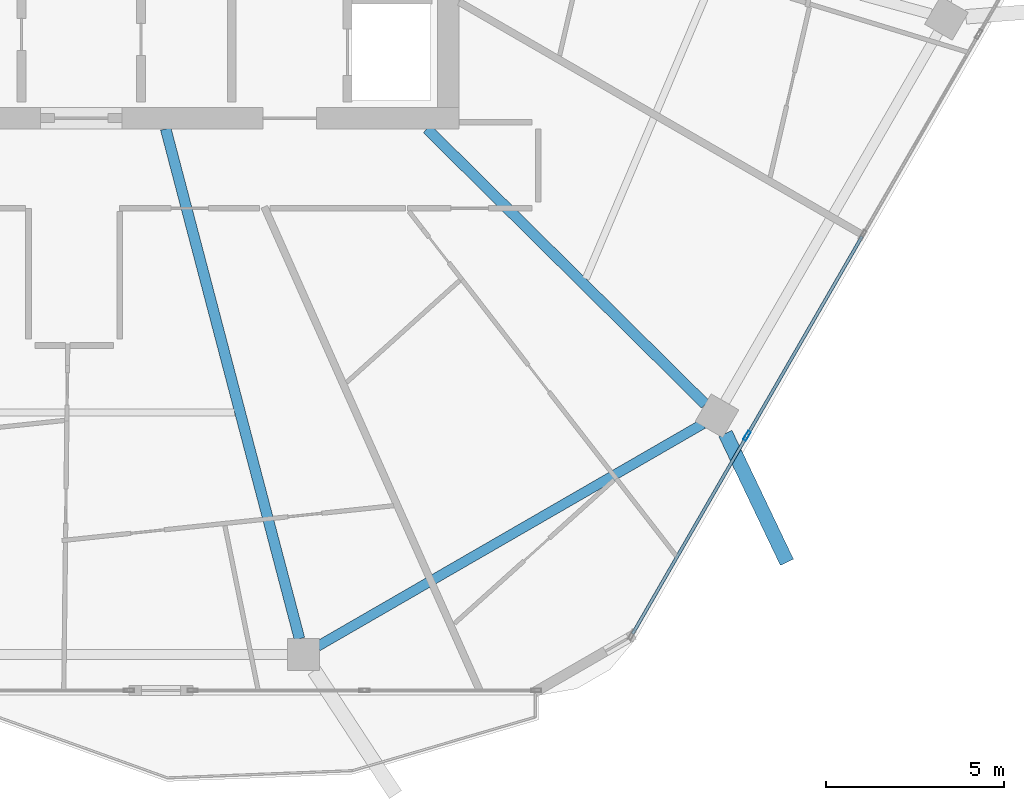
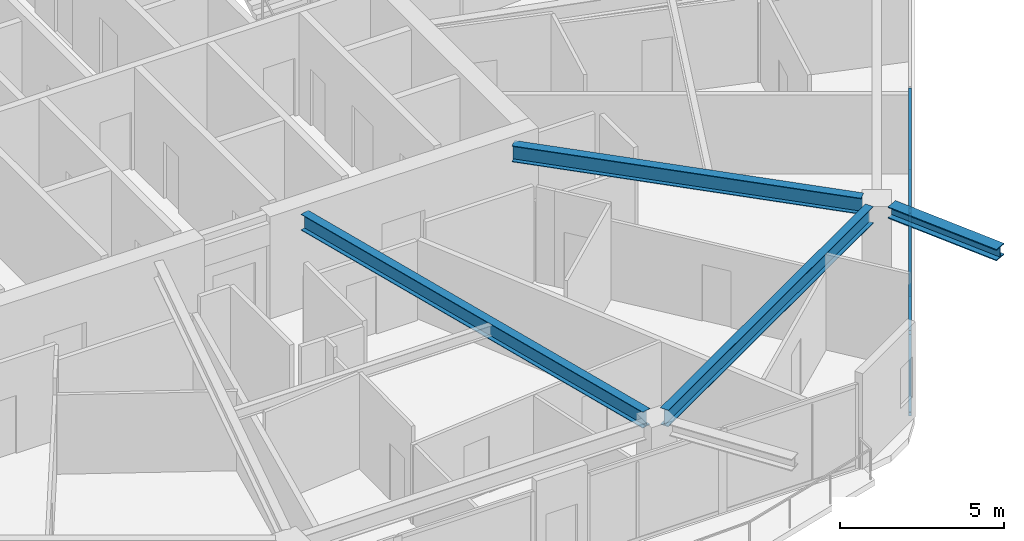
# One storey, part 8 of 26: 5 members, 4 beams, 1 element without a shape of its own.
"""IFC4 building model written with IfcOpenShell, lengths in metres."""

import ifcopenshell
import ifcopenshell.guid

model = None  # the IFC model being written
_history = None  # IfcOwnerHistory: only IFC2X3 demands one
_inside = {}  # id of a spatial element -> (the spatial element, [elements in it])
_under = {}  # id of a project, library or spatial element -> (it, [spatial elements below it])
_declared = {}  # id of a project -> (the project, [libraries it declares])
_typed = {}  # id of a type object -> (the type object, [elements of that type])
_made_of = {}  # id of a material, layer set ... -> (it, [elements and type objects made of it])


def new_model(schema):
    """Start an empty IFC model of exactly this schema.

    Asked for "IFC4X3", IfcOpenShell would pick the latest addendum, in which some entities
    have other attributes; the version numbers below select the first issue.
    IFC2X3 requires an IfcOwnerHistory on every rooted entity: one is made here for all.
    """
    global model, _history
    if schema == "IFC4X3":
        model = ifcopenshell.file(schema_version=(4, 3, 0, 0))
    else:
        model = ifcopenshell.file(schema=schema)
    _inside.clear()
    _under.clear()
    _declared.clear()
    _typed.clear()
    _made_of.clear()
    _history = None
    if model.schema == "IFC2X3":
        org = make("IfcOrganization", Name="unknown")
        user = make(
            "IfcPersonAndOrganization",
            ThePerson=make("IfcPerson", FamilyName="unknown"),
            TheOrganization=org,
        )
        app = make(
            "IfcApplication",
            ApplicationDeveloper=org,
            Version="unknown",
            ApplicationFullName="unknown",
            ApplicationIdentifier="unknown",
        )
        _history = make(
            "IfcOwnerHistory",
            OwningUser=user,
            OwningApplication=app,
            ChangeAction="ADDED",
            CreationDate=0,
        )
    return model


def make(cls, **values):
    """One entity of the class cls with the attributes given. An attribute that is None is left unset."""
    return model.create_entity(
        cls, **{name: value for name, value in values.items() if value is not None}
    )


def rooted(cls, **values):
    """An entity with a GlobalId (a new one), such as an element, a storey or a relation."""
    return make(cls, GlobalId=ifcopenshell.guid.new(), OwnerHistory=_history, **values)


def si_unit(unit_type, name, prefix=None):
    """IfcSIUnit, for example si_unit("LENGTHUNIT", "METRE", prefix="MILLI")."""
    return make("IfcSIUnit", UnitType=unit_type, Prefix=prefix, Name=name)


def assignment(units):
    """IfcUnitAssignment: the units of a project."""
    return None if units is None else make("IfcUnitAssignment", Units=units)


def point(xyz):
    """IfcCartesianPoint."""
    return None if xyz is None else make("IfcCartesianPoint", Coordinates=xyz)


def direction(xyz):
    """IfcDirection."""
    return None if xyz is None else make("IfcDirection", DirectionRatios=xyz)


def frame(location, z_axis=None, x_axis=None):
    """IfcAxis2Placement3D, a coordinate frame: its origin and axes. An axis left out is left unset."""
    return make(
        "IfcAxis2Placement3D",
        Location=point(location),
        Axis=direction(z_axis),
        RefDirection=direction(x_axis),
    )


def frame_2d(location, x_axis=None):
    """IfcAxis2Placement2D, a coordinate frame in the plane: its origin and x axis."""
    return make(
        "IfcAxis2Placement2D", Location=point(location), RefDirection=direction(x_axis)
    )


def origin():
    """The frame at (0, 0, 0) with its axes left unset."""
    return frame((0.0, 0.0, 0.0))


def origin_2d():
    """The frame at (0, 0) in the plane with its x axis left unset."""
    return frame_2d((0.0, 0.0))


def place(relative_to, where):
    """IfcLocalPlacement: puts the frame where relative to a parent placement (None: the world)."""
    return make(
        "IfcLocalPlacement", PlacementRelTo=relative_to, RelativePlacement=where
    )


def context(
    kind, dimensions, precision=None, world=None, true_north=None, identifier=None
):
    """IfcGeometricRepresentationContext, for example the 3D "Model" context."""
    return make(
        "IfcGeometricRepresentationContext",
        ContextIdentifier=identifier,
        ContextType=kind,
        CoordinateSpaceDimension=dimensions,
        Precision=precision,
        WorldCoordinateSystem=world,
        TrueNorth=true_north,
    )


def subcontext(parent, identifier, kind, view, scale=None):
    """IfcGeometricRepresentationSubContext, for example "Body" below "Model"."""
    return make(
        "IfcGeometricRepresentationSubContext",
        ContextIdentifier=identifier,
        ContextType=kind,
        ParentContext=parent,
        TargetScale=scale,
        TargetView=view,
    )


def project(units=None, contexts=None):
    """IfcProject with its units and contexts."""
    return rooted(
        "IfcProject",
        Name="project",
        RepresentationContexts=contexts,
        UnitsInContext=assignment(units),
    )


def spatial(cls, under=None, at=None, **own):
    """A site, building, storey or space (cls), placed at a placement, below another one or the project."""
    s = rooted(cls, ObjectPlacement=at, **own)
    if under is not None:
        _under.setdefault(under.id(), (under, []))[1].append(s)
    return s


def profile(cls, at=None, kind="AREA", **sizes):
    """A parametric profile (cls). Its sizes go by their IFC names, for example OverallWidth=200.0."""
    return make(cls, ProfileType=kind, Position=at, **sizes)


def hollow_rectangle(**sizes):
    """IfcRectangleHollowProfileDef."""
    return profile("IfcRectangleHollowProfileDef", **sizes)


def i_section(**sizes):
    """IfcIShapeProfileDef."""
    return profile("IfcIShapeProfileDef", **sizes)


def extrude(swept, where, along, depth):
    """IfcExtrudedAreaSolid: the profile swept, set in the frame where, extruded along a direction by depth."""
    return make(
        "IfcExtrudedAreaSolid",
        SweptArea=swept,
        Position=where,
        ExtrudedDirection=direction(along),
        Depth=depth,
    )


def shape(context_of_items, identifier, shape_type, items):
    """IfcShapeRepresentation: the items that make up one representation, for example the "Body"."""
    return make(
        "IfcShapeRepresentation",
        ContextOfItems=context_of_items,
        RepresentationIdentifier=identifier,
        RepresentationType=shape_type,
        Items=items,
    )


def material(Name=None, Category=None):
    """IfcMaterial."""
    return make("IfcMaterial", Name=Name, Category=Category)


def material_profile(
    of_material, cross_section, Name=None, Category=None, Priority=None
):
    """IfcMaterialProfile: a cross section and its material."""
    return make(
        "IfcMaterialProfile",
        Name=Name,
        Material=of_material,
        Profile=cross_section,
        Priority=Priority,
        Category=Category,
    )


def profile_set(profiles, Name=None, composite=None):
    """IfcMaterialProfileSet."""
    return make(
        "IfcMaterialProfileSet",
        Name=Name,
        MaterialProfiles=profiles,
        CompositeProfile=composite,
    )


def made_of(thing, what):
    """Note that an element or type object is made of a material, layer set ...; save() writes the relation."""
    if what is not None:
        _made_of.setdefault(what.id(), (what, []))[1].append(thing)
    return thing


def type_object(cls, material=None, **own):
    """A type object (cls), such as IfcWallType, which elements share."""
    return made_of(rooted(cls, **own), material)


def element(
    cls,
    number,
    at=None,
    inside=None,
    cuts=None,
    type_object=None,
    material=None,
    context=None,
    identifier="Body",
    shape_type=None,
    held_by="IfcProductDefinitionShape",
    body=None,
    shapes=None,
    **own,
):
    """One element of the class cls, such as IfcWall. Its Tag is "e" and its number.

    at: its placement. inside: the storey or other place that contains it. cuts: it is an
    opening in that element (IfcRelVoidsElement). A single representation is given by context,
    identifier, shape_type and body (its items); several are given by shapes. held_by: the class
    of the entity that holds the representations. save() writes the other relations.
    """
    e = rooted(cls, Tag="e%d" % number, ObjectPlacement=at, **own)
    if body is not None:
        shapes = [shape(context, identifier, shape_type, body)]
    if shapes is not None:
        e.Representation = make(held_by, Representations=shapes)
    if inside is not None:
        _inside.setdefault(inside.id(), (inside, []))[1].append(e)
    if cuts is not None:
        rooted(
            "IfcRelVoidsElement", RelatingBuildingElement=cuts, RelatedOpeningElement=e
        )
    if type_object is not None:
        _typed.setdefault(type_object.id(), (type_object, []))[1].append(e)
    return made_of(e, material)


def aggregate(whole, parts):
    """IfcRelAggregates: a whole, such as a stair, and the parts it consists of."""
    return rooted("IfcRelAggregates", RelatingObject=whole, RelatedObjects=parts)


def save(model, path):
    """Write the relations noted so far, then the file.

    IfcRelAggregates (storeys below a building ...), IfcRelContainedInSpatialStructure (elements
    in a storey), IfcRelDefinesByType, IfcRelAssociatesMaterial and IfcRelDeclares: one each for
    every whole, place, type object, material and project.
    """
    for whole, parts in _under.values():
        aggregate(whole, parts)
    for where, things in _inside.values():
        rooted(
            "IfcRelContainedInSpatialStructure",
            RelatedElements=things,
            RelatingStructure=where,
        )
    for kind, things in _typed.values():
        rooted("IfcRelDefinesByType", RelatedObjects=things, RelatingType=kind)
    for what, things in _made_of.values():
        rooted("IfcRelAssociatesMaterial", RelatedObjects=things, RelatingMaterial=what)
    for by, libraries in _declared.values():
        rooted("IfcRelDeclares", RelatingContext=by, RelatedDefinitions=libraries)
    model.write(path)


model = new_model("IFC4")

# Units and contexts
model_context = context("Model", 3, precision=1e-05, world=origin(), true_north=direction((0.0, 1.0)))
body_context = subcontext(model_context, "Body", "Model", "MODEL_VIEW")
ifc_project = project(units=[si_unit("LENGTHUNIT", "METRE"), si_unit("AREAUNIT", "SQUARE_METRE"), si_unit("VOLUMEUNIT", "CUBIC_METRE"), si_unit("PLANEANGLEUNIT", "RADIAN"), si_unit("MASSUNIT", "GRAM", prefix="KILO")], contexts=[model_context])

# Site, building, storey
site_placement = place(None, origin())
site = spatial("IfcSite", under=ifc_project, at=site_placement, CompositionType="ELEMENT")
building_placement = place(site_placement, origin())
building = spatial("IfcBuilding", under=site, at=building_placement, Name="Zuhravey Tower", CompositionType="ELEMENT")
storey_placement = place(building_placement, frame((0.0, 0.0, 242.60009765625)))
storey = spatial("IfcBuildingStorey", under=building, at=storey_placement, Name="L61", CompositionType="ELEMENT", Elevation=242.60009765625)

# Curtain wall, members
ifc_material_1 = material(Name="Thermally broken anodised aluminium", Category="aluminium")
curtain_wall_type = type_object("IfcCurtainWallType", Name="Zone 3-4 High-Rise Curtain Wall CW4", PredefinedType="NOTDEFINED", material=ifc_material_1)
curtain_wall_placement = place(storey_placement, origin())
curtain_wall = element("IfcCurtainWall", 1, at=curtain_wall_placement, inside=storey, type_object=curtain_wall_type, Name="L61 CW4 CW-L61-F6-1", PredefinedType="NOTDEFINED")
ifc_material_2 = material(Name="Anodised aluminium", Category="aluminium")
ifc_material_profile_1 = material_profile(ifc_material_2, hollow_rectangle(XDim=0.090087890625, YDim=0.284912109375, WallThickness=0.0048828125, at=origin_2d()), Name="ALU-RHS-90x285x5")
ifc_profile_set_1 = profile_set([ifc_material_profile_1], Name="Anodised aluminium")
member_type_1 = type_object("IfcMemberType", Name="Curtain-Wall Mullion 90x180", PredefinedType="MULLION", material=ifc_profile_set_1)
member_1_placement = place(storey_placement, frame((54.885498046875, 13.58349609375, 0.0), z_axis=(0.0, 0.0, 1.0), x_axis=(0.866024851021, -0.500000957414, 0.0)))
member_1 = element("IfcMember", 2, at=member_1_placement, type_object=member_type_1, Name="CW4 mullion 4", PredefinedType="MULLION", context=body_context, shape_type="SweptSolid", body=[
    extrude(hollow_rectangle(XDim=0.090087890625, YDim=0.284912109375, WallThickness=0.0048828125, at=origin_2d()), origin(), (0.0, 0.0, 1.0), 3.121826171875),
])
ifc_material_profile_2 = material_profile(ifc_material_2, hollow_rectangle(XDim=0.090087890625, YDim=0.14990234375, WallThickness=0.0048828125, at=origin_2d()), Name="ALU-RHS-90x150x5")
ifc_profile_set_2 = profile_set([ifc_material_profile_2], Name="Anodised aluminium")
member_type_2 = type_object("IfcMemberType", Name="Curtain-Wall Transom 90x150", PredefinedType="USERDEFINED", material=ifc_profile_set_2)
member_2_placement = place(storey_placement, frame((58.1162109375, 19.17919921875, 0.044921875), z_axis=(-0.500014493347, -0.866017035885, 0.0), x_axis=(0.866017035885, -0.500014493347, 0.0)))
member_2 = element("IfcMember", 3, at=member_2_placement, type_object=member_type_2, Name="CW4 transom 3.1", ObjectType="TRANSOM", PredefinedType="USERDEFINED", context=body_context, shape_type="SweptSolid", body=[
    extrude(hollow_rectangle(XDim=0.090087890625, YDim=0.14990234375, WallThickness=0.0048828125, at=origin_2d()), origin(), (0.0, 0.0, 1.0), 6.416259765625),
])
member_3_placement = place(storey_placement, frame((58.1162109375, 19.17919921875, 3.076904296875), z_axis=(-0.500014493347, -0.866017035885, 0.0), x_axis=(0.866017035885, -0.500014493347, 0.0)))
member_3 = element("IfcMember", 4, at=member_3_placement, type_object=member_type_2, Name="CW4 transom 3.2", ObjectType="TRANSOM", PredefinedType="USERDEFINED", context=body_context, shape_type="SweptSolid", body=[
    extrude(hollow_rectangle(XDim=0.090087890625, YDim=0.14990234375, WallThickness=0.0048828125, at=origin_2d()), origin(), (0.0, 0.0, 1.0), 6.416259765625),
])
member_4_placement = place(storey_placement, frame((54.863037109375, 13.544677734375, 0.044921875), z_axis=(-0.499980071345, -0.866036909293, 0.0), x_axis=(0.866036909293, -0.499980071345, 0.0)))
member_4 = element("IfcMember", 5, at=member_4_placement, type_object=member_type_2, Name="CW4 transom 4.1", ObjectType="TRANSOM", PredefinedType="USERDEFINED", context=body_context, shape_type="SweptSolid", body=[
    extrude(hollow_rectangle(XDim=0.090087890625, YDim=0.14990234375, WallThickness=0.0048828125, at=origin_2d()), origin(), (0.0, 0.0, 1.0), 6.371337890625),
])
member_5_placement = place(storey_placement, frame((54.863037109375, 13.544677734375, 3.076904296875), z_axis=(-0.499980071345, -0.866036909293, 0.0), x_axis=(0.866036909293, -0.499980071345, 0.0)))
member_5 = element("IfcMember", 6, at=member_5_placement, type_object=member_type_2, Name="CW4 transom 4.2", ObjectType="TRANSOM", PredefinedType="USERDEFINED", context=body_context, shape_type="SweptSolid", body=[
    extrude(hollow_rectangle(XDim=0.090087890625, YDim=0.14990234375, WallThickness=0.0048828125, at=origin_2d()), origin(), (0.0, 0.0, 1.0), 6.371337890625),
])
aggregate(curtain_wall, [member_1, member_2, member_3, member_4, member_5])

# Beams
ifc_material_3 = material(Name="Steel SM460", Category="steel")
ifc_material_profile_3 = material_profile(ifc_material_3, i_section(OverallWidth=0.406982421875, OverallDepth=0.427978515625, WebThickness=0.02001953125, FlangeThickness=0.034912109375, at=origin_2d()), Name="H-428x407x20x35")
ifc_profile_set_3 = profile_set([ifc_material_profile_3], Name="Steel SM460")
beam_type_1 = type_object("IfcBeamType", Name="Exoskeleton Node Tie Beam H428x407", PredefinedType="BEAM", material=ifc_profile_set_3)
beam_1_placement = place(storey_placement, frame((54.280517578125, 13.649169921875, 3.3359375), z_axis=(0.431011445347, -0.902346460058, 0.0), x_axis=(0.902346460058, 0.431011445347, 0.0)))
element("IfcBeam", 7, at=beam_1_placement, inside=storey, type_object=beam_type_1, Name="L61 Exoskeleton Node Tie NT1-11", PredefinedType="BEAM", context=body_context, shape_type="SweptSolid", body=[
    extrude(i_section(OverallWidth=0.406982421875, OverallDepth=0.427978515625, WebThickness=0.02001953125, FlangeThickness=0.034912109375, at=origin_2d()), origin(), (0.0, 0.0, 1.0), 4.008056640625),
])
ifc_material_4 = material(Name="Steel SM355", Category="steel")
ifc_material_profile_4 = material_profile(ifc_material_4, i_section(OverallWidth=0.280029296875, OverallDepth=0.6201171875, WebThickness=0.011962890625, FlangeThickness=0.02001953125, at=origin_2d()), Name="H-620x280x12x20")
ifc_profile_set_4 = profile_set([ifc_material_profile_4], Name="Steel SM355")
beam_type_2 = type_object("IfcBeamType", Name="Perimeter Ring Beam H620x280", PredefinedType="BEAM", material=ifc_profile_set_4)
beam_2_placement = place(storey_placement, frame((42.833251953125, 7.6728515625, 3.239990234375), z_axis=(0.866025131093, 0.500000472315, 0.0), x_axis=(-0.500000472315, 0.866025131093, 0.0)))
element("IfcBeam", 8, at=beam_2_placement, inside=storey, type_object=beam_type_2, Name="L61 PB3 BM-L61-PB-10", PredefinedType="BEAM", context=body_context, shape_type="SweptSolid", body=[
    extrude(i_section(OverallWidth=0.280029296875, OverallDepth=0.6201171875, WebThickness=0.011962890625, FlangeThickness=0.02001953125, at=origin_2d()), origin(), (0.0, 0.0, 1.0), 12.49169921875),
])
ifc_material_profile_5 = material_profile(ifc_material_4, i_section(OverallWidth=0.300048828125, OverallDepth=0.60009765625, WebThickness=0.011962890625, FlangeThickness=0.02001953125, at=origin_2d()), Name="H-600x300x12x20")
ifc_profile_set_5 = profile_set([ifc_material_profile_5], Name="Steel SM355")
beam_type_3 = type_object("IfcBeamType", Name="Radial Primary Girder H600x300", PredefinedType="BEAM", material=ifc_profile_set_5)
beam_3_placement = place(storey_placement, frame((38.571533203125, 22.197021484375, 3.25), z_axis=(0.253731415841, -0.967274712073, 0.0), x_axis=(0.967274712073, 0.253731415841, 0.0)))
element("IfcBeam", 9, at=beam_3_placement, inside=storey, type_object=beam_type_3, Name="L61 RG3 BM-L61-RAD-10", PredefinedType="BEAM", context=body_context, shape_type="SweptSolid", body=[
    extrude(i_section(OverallWidth=0.300048828125, OverallDepth=0.60009765625, WebThickness=0.011962890625, FlangeThickness=0.02001953125, at=origin_2d()), origin(), (0.0, 0.0, 1.0), 14.796630859375),
])
beam_4_placement = place(storey_placement, frame((45.90673828125, 22.197021484375, 3.25), z_axis=(0.710816516282, -0.703377480576, 0.0), x_axis=(0.703377480576, 0.710816516282, 0.0)))
element("IfcBeam", 10, at=beam_4_placement, inside=storey, type_object=beam_type_3, Name="L61 RG3 BM-L61-RAD-11", PredefinedType="BEAM", context=body_context, shape_type="SweptSolid", body=[
    extrude(i_section(OverallWidth=0.300048828125, OverallDepth=0.60009765625, WebThickness=0.011962890625, FlangeThickness=0.02001953125, at=origin_2d()), origin(), (0.0, 0.0, 1.0), 10.994384765625),
])

save(model, "model.ifc")
